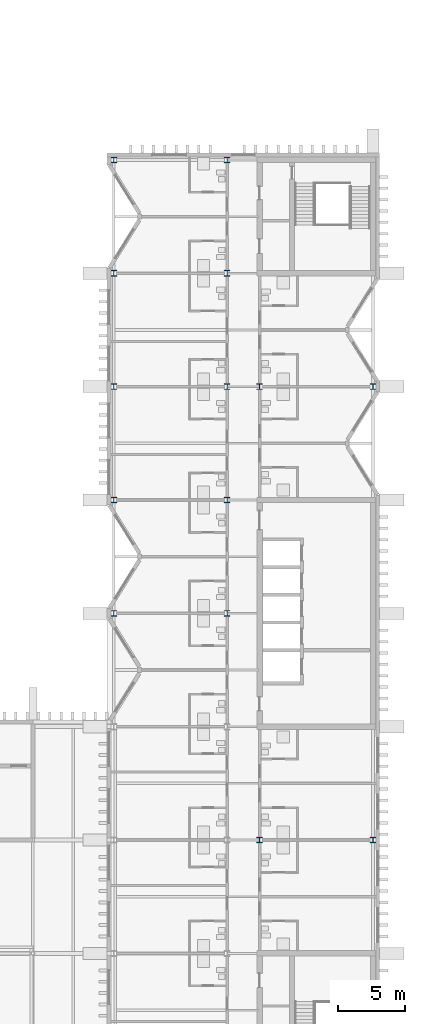
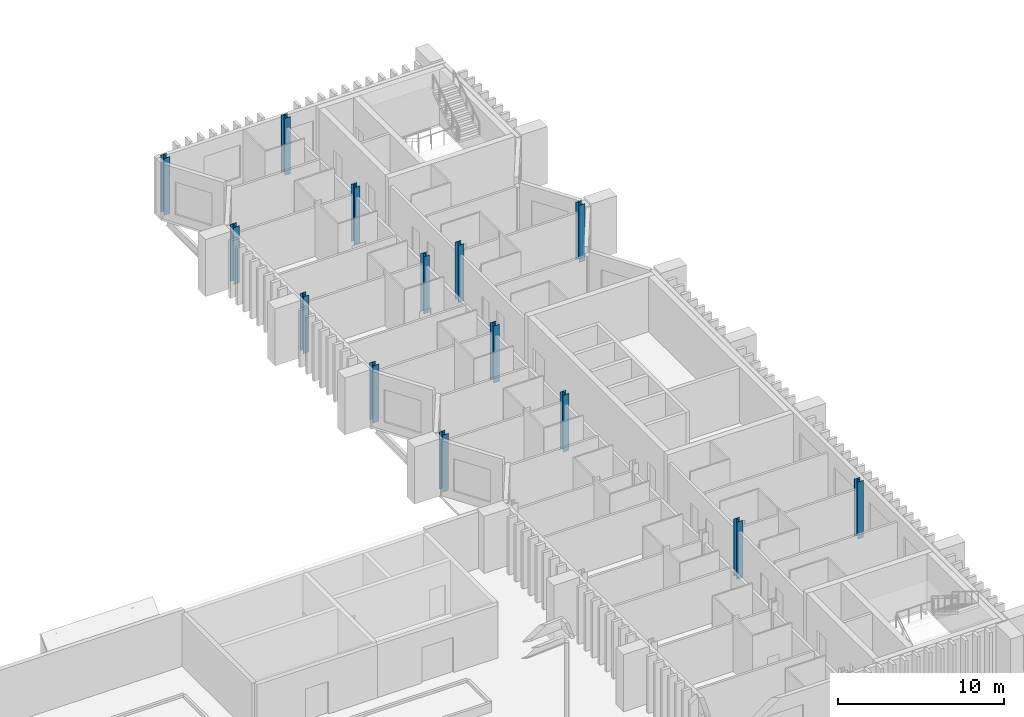
# One storey, part 10 of 51: 14 columns.
"""IFC4 building model written with IfcOpenShell, lengths in metres."""

from ifc_helpers import new_model, si_unit, direction, frame, origin, origin_2d, place, context, subcontext, project, spatial, i_section, extrude, material, material_profile, profile_set, type_object, element, save


model = new_model("IFC4")

# Units and contexts
model_context = context("Model", 3, precision=1e-05, world=origin(), true_north=direction((0.0, 1.0)))
body_context = subcontext(model_context, "Body", "Model", "MODEL_VIEW")
ifc_project = project(units=[si_unit("LENGTHUNIT", "METRE"), si_unit("AREAUNIT", "SQUARE_METRE"), si_unit("VOLUMEUNIT", "CUBIC_METRE"), si_unit("PLANEANGLEUNIT", "RADIAN"), si_unit("MASSUNIT", "GRAM", prefix="KILO")], contexts=[model_context])

# Site, building, storey
site_placement = place(None, origin())
site = spatial("IfcSite", under=ifc_project, at=site_placement, CompositionType="ELEMENT")
building_placement = place(site_placement, origin())
building = spatial("IfcBuilding", under=site, at=building_placement, Name="Cresset Court Congress Hotel", CompositionType="ELEMENT")
storey_placement = place(building_placement, frame((0.0, 0.0, 18.60009765625)))
storey = spatial("IfcBuildingStorey", under=building, at=storey_placement, Name="L04", CompositionType="ELEMENT", Elevation=18.60009765625)

# Columns
ifc_material = material(Name="Structural steel Q355B", Category="steel")
ifc_material_profile = material_profile(ifc_material, i_section(OverallWidth=0.405029296875, OverallDepth=0.4140625, WebThickness=0.01806640625, FlangeThickness=0.028076171875, FilletRadius=0.02197265625, at=origin_2d()), Name="HW414x405x18x28")
ifc_profile_set = profile_set([ifc_material_profile], Name="Structural steel Q355B")
column_type = type_object("IfcColumnType", Name="Steel column HW414x405x18x28", PredefinedType="COLUMN", material=ifc_profile_set)
for number, where, z_axis, x_axis, name in (
    (1, (157.199951171875, 33.60009765625, 0.0), (0.0, 0.0, 1.0), (1.0, 0.0, 0.0), "Column L04 5-20"),
    (2, (157.199951171875, 42.0, 0.0), (0.0, 0.0, 1.0), (1.0, 0.0, 0.0), "Column L04 6-20"),
    (3, (157.199951171875, 50.39990234375, 0.0), (0.0, 0.0, 1.0), (1.0, 0.0, 0.0), "Column L04 7-20"),
    (4, (157.199951171875, 58.800048828125, 0.0), (0.0, 0.0, 1.0), (1.0, 0.0, 0.0), "Column L04 8-20"),
    (5, (157.199951171875, 67.199951171875, 0.0), (0.0, 0.0, 1.0), (1.0, 0.0, 0.0), "Column L04 9-20"),
    (6, (165.60009765625, 33.60009765625, 0.0), (0.0, 0.0, 1.0), (1.0, 0.0, 0.0), "Column L04 5-21"),
    (7, (165.60009765625, 42.0, 0.0), (0.0, 0.0, 1.0), (1.0, 0.0, 0.0), "Column L04 6-21"),
    (8, (165.60009765625, 50.39990234375, 0.0), (0.0, 0.0, 1.0), (1.0, 0.0, 0.0), "Column L04 7-21"),
    (9, (165.60009765625, 58.800048828125, 0.0), (0.0, 0.0, 1.0), (1.0, 0.0, 0.0), "Column L04 8-21"),
    (10, (165.60009765625, 67.199951171875, 0.0), (0.0, 0.0, 1.0), (1.0, 0.0, 0.0), "Column L04 9-21"),
    (11, (168.0, 16.800048828125, 0.0), (0.0, 0.0, 1.0), (1.0, 0.0, 0.0), "Column L04 3-22"),
    (12, (168.0, 50.39990234375, 0.0), (0.0, 0.0, 1.0), (1.0, 0.0, 0.0), "Column L04 7-22"),
    (13, (176.39990234375, 16.800048828125, 0.0), (0.0, 0.0, 1.0), (1.0, 0.0, 0.0), "Column L04 3-23"),
    (14, (176.39990234375, 50.39990234375, 0.0), (0.0, 0.0, 1.0), (1.0, 0.0, 0.0), "Column L04 7-23"),
):
    element("IfcColumn", number, at=place(storey_placement, frame(where, z_axis=z_axis, x_axis=x_axis)), inside=storey, type_object=column_type, Name=name, PredefinedType="COLUMN", context=body_context, shape_type="SweptSolid", body=[
        extrude(i_section(OverallWidth=0.405029296875, OverallDepth=0.4140625, WebThickness=0.01806640625, FlangeThickness=0.028076171875, FilletRadius=0.02197265625, at=origin_2d()), origin(), (0.0, 0.0, 1.0), 4.199951171875),
    ])

save(model, "model.ifc")
